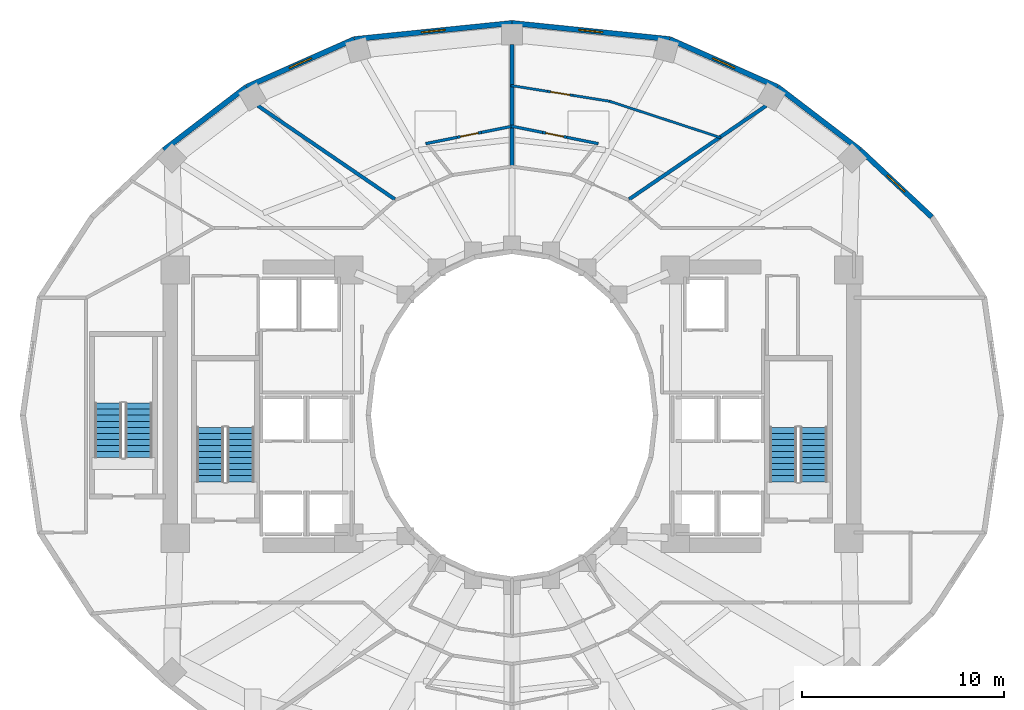
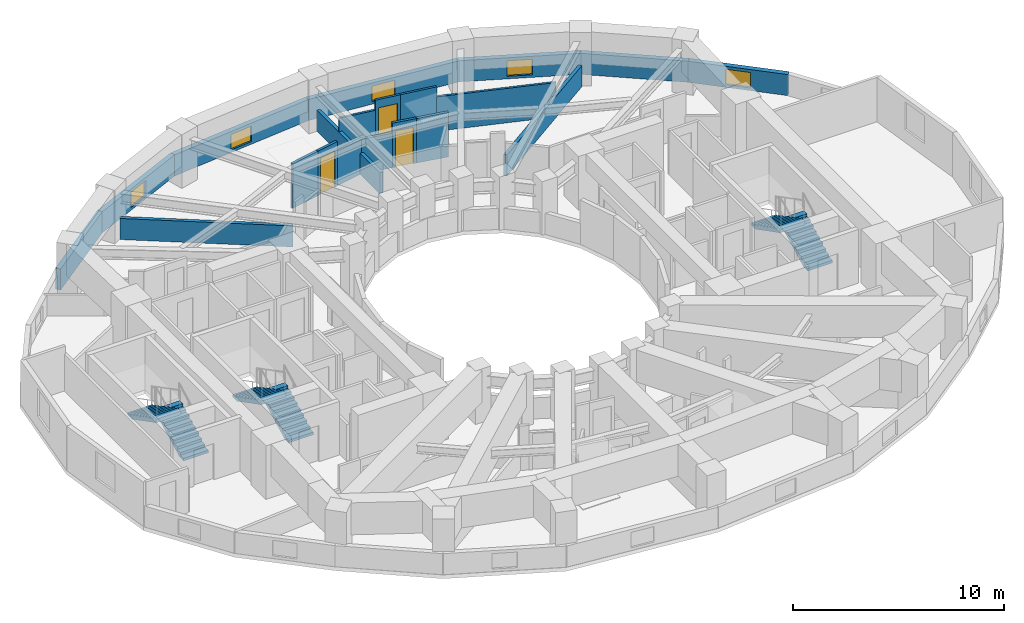
# One storey, part 7 of 9: 20 walls, 6 stair flights, 5 windows, 3 doors, 8 openings, 3 elements without a shape of their own.
"""IFC4 building model written with IfcOpenShell, lengths in metres."""

from ifc_helpers import new_model, si_unit, direction, frame, frame_2d, origin, place, context, subcontext, project, spatial, polyline, rectangle, outline, extrude, material, layer, layer_set, type_object, element, fill, aggregate, save


model = new_model("IFC4")

# Units and contexts
model_context = context("Model", 3, precision=1e-05, world=origin(), true_north=direction((0.0, 1.0)))
body_context = subcontext(model_context, "Body", "Model", "MODEL_VIEW")
ifc_project = project(units=[si_unit("LENGTHUNIT", "METRE"), si_unit("AREAUNIT", "SQUARE_METRE"), si_unit("VOLUMEUNIT", "CUBIC_METRE"), si_unit("PLANEANGLEUNIT", "RADIAN"), si_unit("MASSUNIT", "GRAM", prefix="KILO")], contexts=[model_context])

# Site, building, storey
site_placement = place(None, origin())
site = spatial("IfcSite", under=ifc_project, at=site_placement, CompositionType="ELEMENT")
building_placement = place(site_placement, origin())
building = spatial("IfcBuilding", under=site, at=building_placement, Name="Solvane Sanctuary Tower", CompositionType="ELEMENT")
storey_placement = place(building_placement, frame((0.0, 0.0, 110.39990234375)))
storey = spatial("IfcBuildingStorey", under=building, at=storey_placement, Name="L33", CompositionType="ELEMENT", Elevation=110.39990234375)

# Wall, opening, window
ifc_material_1 = material(Name="Precast concrete C40/50", Category="concrete")
ifc_layer_1 = layer(ifc_material_1, 0.260009765625, Name="Precast concrete C40/50")
ifc_layer_set_1 = layer_set([ifc_layer_1], Name="Precast concrete C40/50")
wall_type_1 = type_object("IfcWallType", Name="Wall W-EXT-250", PredefinedType="STANDARD", material=ifc_layer_set_1)
wall_1_placement = place(storey_placement, frame((52.820556640625, 32.826904296875, 0.0), z_axis=(0.0, 0.0, 1.0), x_axis=(-0.730162452258, 0.68327358599, 0.0)))
wall_1 = element("IfcWall", 1, at=wall_1_placement, inside=storey, type_object=wall_type_1, Name="L33 Ceramic-Printed Facade Wall 02", PredefinedType="STANDARD", context=body_context, shape_type="SweptSolid", body=[
    extrude(rectangle(XDim=4.868408203125, YDim=0.260009765625, at=frame_2d((2.43408203125, 0.0))), origin(), (0.0, 0.0, 1.0), 1.22021484375),
])
opening_1_placement = place(wall_1_placement, frame((1.834228515625, 0.0, 0.14990234375)))
opening_1 = element("IfcOpeningElement", 2, at=opening_1_placement, cuts=wall_1, Name="Opening WN-OPER-1200", PredefinedType="OPENING", context=body_context, shape_type="SweptSolid", body=[
    extrude(rectangle(XDim=1.199951171875, YDim=0.89990234375, at=frame_2d((0.60009765625, 0.449951171875))), frame((0.0, 0.139892578125, 0.0), z_axis=(0.0, -1.0, 0.0), x_axis=(1.0, 0.0, 0.0)), (0.0, 0.0, 1.0), 0.280029296875),
])
ifc_material_2 = material(Name="Dark Ceramic-Fritted Low-E Glass", Category="glass")
window_type = type_object("IfcWindowType", Name="Window WN-OPER-1200", PartitioningType="SINGLE_PANEL", PredefinedType="WINDOW", material=ifc_material_2)
window_1_placement = place(opening_1_placement, origin())
window_1 = element("IfcWindow", 3, at=window_1_placement, inside=storey, type_object=window_type, Name="L33 Operable Facade Window 02", OverallHeight=0.89990234375, OverallWidth=1.199951171875, PartitioningType="SINGLE_PANEL", PredefinedType="WINDOW", context=body_context, shape_type="SweptSolid", body=[
    extrude(rectangle(XDim=1.199951171875, YDim=0.89990234375, at=frame_2d((0.60009765625, 0.449951171875))), frame((0.0, 0.030029296875, 0.0), z_axis=(0.0, -1.0, 0.0), x_axis=(1.0, 0.0, 0.0)), (0.0, 0.0, 1.0), 0.06005859375),
])
fill(opening_1, window_1)

# Wall
wall_2_placement = place(storey_placement, frame((49.265869140625, 36.1533203125, 0.0), z_axis=(0.0, 0.0, 1.0), x_axis=(-0.794809810864, 0.606858603427, 0.0)))
element("IfcWall", 4, at=wall_2_placement, inside=storey, type_object=wall_type_1, Name="L33 Ceramic-Printed Facade Wall 03", PredefinedType="STANDARD", context=body_context, shape_type="SweptSolid", body=[
    extrude(rectangle(XDim=5.149169921875, YDim=0.260009765625, at=frame_2d((2.57470703125, 0.0))), origin(), (0.0, 0.0, 1.0), 1.22021484375),
])

# Wall, opening, window
wall_3_placement = place(storey_placement, frame((45.17333984375, 39.278076171875, 0.0), z_axis=(0.0, 0.0, 1.0), x_axis=(-0.914336605747, 0.404955023911, 0.0)))
wall_3 = element("IfcWall", 5, at=wall_3_placement, inside=storey, type_object=wall_type_1, Name="L33 Ceramic-Printed Facade Wall 04", PredefinedType="STANDARD", context=body_context, shape_type="SweptSolid", body=[
    extrude(rectangle(XDim=5.85888671875, YDim=0.260009765625, at=frame_2d((2.929443359375, 0.0))), origin(), (0.0, 0.0, 1.0), 1.22021484375),
])
opening_2_placement = place(wall_3_placement, frame((2.329345703125, 0.0, 0.14990234375)))
opening_2 = element("IfcOpeningElement", 6, at=opening_2_placement, cuts=wall_3, Name="Opening WN-OPER-1200", PredefinedType="OPENING", context=body_context, shape_type="SweptSolid", body=[
    extrude(rectangle(XDim=1.199951171875, YDim=0.89990234375, at=frame_2d((0.60009765625, 0.449951171875))), frame((0.0, 0.139892578125, 0.0), z_axis=(0.0, -1.0, 0.0), x_axis=(1.0, 0.0, 0.0)), (0.0, 0.0, 1.0), 0.280029296875),
])
window_2_placement = place(opening_2_placement, origin())
window_2 = element("IfcWindow", 7, at=window_2_placement, inside=storey, type_object=window_type, Name="L33 Operable Facade Window 04", OverallHeight=0.89990234375, OverallWidth=1.199951171875, PartitioningType="SINGLE_PANEL", PredefinedType="WINDOW", context=body_context, shape_type="SweptSolid", body=[
    extrude(rectangle(XDim=1.199951171875, YDim=0.89990234375, at=frame_2d((0.60009765625, 0.449951171875))), frame((0.0, 0.030029296875, 0.0), z_axis=(0.0, -1.0, 0.0), x_axis=(1.0, 0.0, 0.0)), (0.0, 0.0, 1.0), 0.06005859375),
])
fill(opening_2, window_2)

wall_4_placement = place(storey_placement, frame((39.81640625, 41.650634765625, 0.0), z_axis=(0.0, 0.0, 1.0), x_axis=(-0.994821390558, 0.101638579726, 0.0)))
wall_4 = element("IfcWall", 8, at=wall_4_placement, inside=storey, type_object=wall_type_1, Name="L33 Ceramic-Printed Facade Wall 05", PredefinedType="STANDARD", context=body_context, shape_type="SweptSolid", body=[
    extrude(rectangle(XDim=7.857177734375, YDim=0.260009765625, at=frame_2d((3.9287109375, 0.0))), origin(), (0.0, 0.0, 1.0), 1.22021484375),
])
opening_3_placement = place(wall_4_placement, frame((3.32861328125, 0.0, 0.14990234375)))
opening_3 = element("IfcOpeningElement", 9, at=opening_3_placement, cuts=wall_4, Name="Opening WN-OPER-1200", PredefinedType="OPENING", context=body_context, shape_type="SweptSolid", body=[
    extrude(rectangle(XDim=1.199951171875, YDim=0.89990234375, at=frame_2d((0.60009765625, 0.449951171875))), frame((0.0, 0.139892578125, 0.0), z_axis=(0.0, -1.0, 0.0), x_axis=(1.0, 0.0, 0.0)), (0.0, 0.0, 1.0), 0.280029296875),
])
window_3_placement = place(opening_3_placement, origin())
window_3 = element("IfcWindow", 10, at=window_3_placement, inside=storey, type_object=window_type, Name="L33 Operable Facade Window 05", OverallHeight=0.89990234375, OverallWidth=1.199951171875, PartitioningType="SINGLE_PANEL", PredefinedType="WINDOW", context=body_context, shape_type="SweptSolid", body=[
    extrude(rectangle(XDim=1.199951171875, YDim=0.89990234375, at=frame_2d((0.60009765625, 0.449951171875))), frame((0.0, 0.030029296875, 0.0), z_axis=(0.0, -1.0, 0.0), x_axis=(1.0, 0.0, 0.0)), (0.0, 0.0, 1.0), 0.06005859375),
])
fill(opening_3, window_3)

wall_5_placement = place(storey_placement, frame((32.0, 42.44921875, 0.0), z_axis=(0.0, 0.0, 1.0), x_axis=(-0.994821390558, -0.101638579726, 0.0)))
wall_5 = element("IfcWall", 11, at=wall_5_placement, inside=storey, type_object=wall_type_1, Name="L33 Ceramic-Printed Facade Wall 06", PredefinedType="STANDARD", context=body_context, shape_type="SweptSolid", body=[
    extrude(rectangle(XDim=7.857177734375, YDim=0.260009765625, at=frame_2d((3.9287109375, 0.0))), origin(), (0.0, 0.0, 1.0), 1.22021484375),
])
opening_4_placement = place(wall_5_placement, frame((3.32861328125, 0.0, 0.14990234375)))
opening_4 = element("IfcOpeningElement", 12, at=opening_4_placement, cuts=wall_5, Name="Opening WN-OPER-1200", PredefinedType="OPENING", context=body_context, shape_type="SweptSolid", body=[
    extrude(rectangle(XDim=1.199951171875, YDim=0.89990234375, at=frame_2d((0.60009765625, 0.449951171875))), frame((0.0, 0.139892578125, 0.0), z_axis=(0.0, -1.0, 0.0), x_axis=(1.0, 0.0, 0.0)), (0.0, 0.0, 1.0), 0.280029296875),
])
window_4_placement = place(opening_4_placement, origin())
window_4 = element("IfcWindow", 13, at=window_4_placement, inside=storey, type_object=window_type, Name="L33 Operable Facade Window 06", OverallHeight=0.89990234375, OverallWidth=1.199951171875, PartitioningType="SINGLE_PANEL", PredefinedType="WINDOW", context=body_context, shape_type="SweptSolid", body=[
    extrude(rectangle(XDim=1.199951171875, YDim=0.89990234375, at=frame_2d((0.60009765625, 0.449951171875))), frame((0.0, 0.030029296875, 0.0), z_axis=(0.0, -1.0, 0.0), x_axis=(1.0, 0.0, 0.0)), (0.0, 0.0, 1.0), 0.06005859375),
])
fill(opening_4, window_4)

wall_6_placement = place(storey_placement, frame((24.18359375, 41.650634765625, 0.0), z_axis=(0.0, 0.0, 1.0), x_axis=(-0.914336605747, -0.404955023911, 0.0)))
wall_6 = element("IfcWall", 14, at=wall_6_placement, inside=storey, type_object=wall_type_1, Name="L33 Ceramic-Printed Facade Wall 07", PredefinedType="STANDARD", context=body_context, shape_type="SweptSolid", body=[
    extrude(rectangle(XDim=5.85888671875, YDim=0.260009765625, at=frame_2d((2.929443359375, 0.0))), origin(), (0.0, 0.0, 1.0), 1.22021484375),
])
opening_5_placement = place(wall_6_placement, frame((2.329345703125, 0.0, 0.14990234375)))
opening_5 = element("IfcOpeningElement", 15, at=opening_5_placement, cuts=wall_6, Name="Opening WN-OPER-1200", PredefinedType="OPENING", context=body_context, shape_type="SweptSolid", body=[
    extrude(rectangle(XDim=1.199951171875, YDim=0.89990234375, at=frame_2d((0.60009765625, 0.449951171875))), frame((0.0, 0.139892578125, 0.0), z_axis=(0.0, -1.0, 0.0), x_axis=(1.0, 0.0, 0.0)), (0.0, 0.0, 1.0), 0.280029296875),
])
window_5_placement = place(opening_5_placement, origin())
window_5 = element("IfcWindow", 16, at=window_5_placement, inside=storey, type_object=window_type, Name="L33 Operable Facade Window 07", OverallHeight=0.89990234375, OverallWidth=1.199951171875, PartitioningType="SINGLE_PANEL", PredefinedType="WINDOW", context=body_context, shape_type="SweptSolid", body=[
    extrude(rectangle(XDim=1.199951171875, YDim=0.89990234375, at=frame_2d((0.60009765625, 0.449951171875))), frame((0.0, 0.030029296875, 0.0), z_axis=(0.0, -1.0, 0.0), x_axis=(1.0, 0.0, 0.0)), (0.0, 0.0, 1.0), 0.06005859375),
])
fill(opening_5, window_5)

# Walls
wall_7_placement = place(storey_placement, frame((18.82666015625, 39.278076171875, 0.0), z_axis=(0.0, 0.0, 1.0), x_axis=(-0.794809810864, -0.606858603427, 0.0)))
element("IfcWall", 17, at=wall_7_placement, inside=storey, type_object=wall_type_1, Name="L33 Ceramic-Printed Facade Wall 08", PredefinedType="STANDARD", context=body_context, shape_type="SweptSolid", body=[
    extrude(rectangle(XDim=5.149169921875, YDim=0.260009765625, at=frame_2d((2.57470703125, 0.0))), origin(), (0.0, 0.0, 1.0), 1.22021484375),
])
ifc_material_3 = material(Name="Acoustic Gypsum Partition Board")
ifc_layer_2 = layer(ifc_material_3, 0.1201171875, Name="Acoustic Gypsum Partition Board")
ifc_layer_set_2 = layer_set([ifc_layer_2], Name="Acoustic Gypsum Partition Board")
wall_type_2 = type_object("IfcWallType", Name="Wall W-MOV-100", PredefinedType="MOVABLE", material=ifc_layer_set_2)
wall_8_placement = place(storey_placement, frame((42.353515625, 36.76318359375, 0.0), z_axis=(0.0, 0.0, 1.0), x_axis=(-0.950307315297, 0.311313357396, 0.0)))
element("IfcWall", 18, at=wall_8_placement, inside=storey, type_object=wall_type_2, Name="L33 Suite Sitting Lounge Partition N1", PredefinedType="MOVABLE", context=body_context, shape_type="SweptSolid", body=[
    extrude(rectangle(XDim=5.8173828125, YDim=0.1201171875, at=frame_2d((2.90869140625, 0.0))), origin(), (0.0, 0.0, 1.0), 1.9921875),
])
wall_9_placement = place(storey_placement, frame((36.8447265625, 38.569580078125, 0.0), z_axis=(0.0, 0.0, 1.0), x_axis=(-0.987498427073, 0.157628856904, 0.0)))
element("IfcWall", 19, at=wall_9_placement, inside=storey, type_object=wall_type_2, Name="L33 Suite Sitting Lounge Partition N1", PredefinedType="MOVABLE", context=body_context, shape_type="SweptSolid", body=[
    extrude(rectangle(XDim=1.843017578125, YDim=0.1201171875, at=frame_2d((0.92138671875, 0.0))), origin(), (0.0, 0.0, 1.0), 2.5751953125),
])

# Wall, opening, door
wall_10_placement = place(storey_placement, frame((35.024658203125, 38.860107421875, 0.0), z_axis=(0.0, 0.0, 1.0), x_axis=(-0.987498146108, 0.157630617054, 0.0)))
wall_10 = element("IfcWall", 20, at=wall_10_placement, inside=storey, type_object=wall_type_2, Name="L33 Suite Sitting Lounge Partition N1", PredefinedType="MOVABLE", context=body_context, shape_type="SweptSolid", body=[
    extrude(rectangle(XDim=1.27001953125, YDim=0.1201171875, at=frame_2d((0.635009765625, 0.0))), origin(), (0.0, 0.0, 1.0), 2.5751953125),
])
opening_6_placement = place(wall_10_placement, frame((0.159912109375, 0.0, 0.0)))
opening_6 = element("IfcOpeningElement", 21, at=opening_6_placement, cuts=wall_10, Name="Opening D-L33-17", PredefinedType="OPENING", context=body_context, shape_type="SweptSolid", body=[
    extrude(rectangle(XDim=0.949951171875, YDim=2.10009765625, at=frame_2d((0.47509765625, 1.050048828125))), frame((0.0, 0.070068359375, 0.0), z_axis=(0.0, -1.0, 0.0), x_axis=(1.0, 0.0, 0.0)), (0.0, 0.0, 1.0), 0.14013671875),
])
ifc_material_4 = material(Name="Engineered Tropical Hardwood", Category="wood")
door_type_1 = type_object("IfcDoorType", Name="Door D-ROOM-950", OperationType="NOTDEFINED", PredefinedType="DOOR", material=ifc_material_4)
door_1_placement = place(opening_6_placement, origin())
door_1 = element("IfcDoor", 22, at=door_1_placement, inside=storey, type_object=door_type_1, Name="L33 Suite Sitting Lounge Door N1", OperationType="SINGLE_SWING_RIGHT", OverallHeight=2.10009765625, OverallWidth=0.949951171875, PredefinedType="DOOR", context=body_context, shape_type="SweptSolid", body=[
    extrude(rectangle(XDim=0.949951171875, YDim=2.10009765625, at=frame_2d((0.47509765625, 1.050048828125))), frame((0.0, 0.02490234375, 0.0), z_axis=(0.0, -1.0, 0.0), x_axis=(1.0, 0.0, 0.0)), (0.0, 0.0, 1.0), 0.050048828125),
])
fill(opening_6, door_1)

# Walls
wall_11_placement = place(storey_placement, frame((33.7705078125, 39.060302734375, 0.0), z_axis=(0.0, 0.0, 1.0), x_axis=(-0.98751575117, 0.157520288186, 0.0)))
element("IfcWall", 23, at=wall_11_placement, inside=storey, type_object=wall_type_2, Name="L33 Suite Sitting Lounge Partition N1", PredefinedType="MOVABLE", context=body_context, shape_type="SweptSolid", body=[
    extrude(rectangle(XDim=1.8427734375, YDim=0.1201171875, at=frame_2d((0.92138671875, 0.0))), origin(), (0.0, 0.0, 1.0), 1.9921875),
])
ifc_layer_3 = layer(ifc_material_3, 0.179931640625, Name="Acoustic Gypsum Partition Board")
ifc_layer_set_3 = layer_set([ifc_layer_3], Name="Acoustic Gypsum Partition Board")
wall_type_3 = type_object("IfcWallType", Name="Wall W-UNIT-180", PredefinedType="PARTITIONING", material=ifc_layer_set_3)
wall_12_placement = place(storey_placement, frame((37.810302734375, 33.708984375, 0.0), z_axis=(0.0, 0.0, 1.0), x_axis=(0.825850521911, 0.563889098546, 0.0)))
element("IfcWall", 24, at=wall_12_placement, inside=storey, type_object=wall_type_3, Name="L33 Radial Compartment Wall 060", PredefinedType="PARTITIONING", context=body_context, shape_type="SweptSolid", body=[
    extrude(rectangle(XDim=8.228271484375, YDim=0.179931640625, at=frame_2d((4.1142578125, 0.0))), origin(), (0.0, 0.0, 1.0), 1.22021484375),
])
wall_13_placement = place(storey_placement, frame((32.0, 35.385009765625, 0.0), z_axis=(0.0, 0.0, 1.0), x_axis=(0.0, 1.0, 0.0)))
element("IfcWall", 25, at=wall_13_placement, inside=storey, type_object=wall_type_3, Name="L33 Radial Compartment Wall 090", PredefinedType="PARTITIONING", context=body_context, shape_type="SweptSolid", body=[
    extrude(rectangle(XDim=5.989990234375, YDim=0.179931640625, at=frame_2d((2.9951171875, 0.0))), origin(), (0.0, 0.0, 1.0), 1.22021484375),
])
wall_14_placement = place(storey_placement, frame((26.189697265625, 33.708984375, 0.0), z_axis=(0.0, 0.0, 1.0), x_axis=(-0.825850521911, 0.563889098546, 0.0)))
element("IfcWall", 26, at=wall_14_placement, inside=storey, type_object=wall_type_3, Name="L33 Radial Compartment Wall 120", PredefinedType="PARTITIONING", context=body_context, shape_type="SweptSolid", body=[
    extrude(rectangle(XDim=8.228271484375, YDim=0.179931640625, at=frame_2d((4.1142578125, 0.0))), origin(), (0.0, 0.0, 1.0), 1.22021484375),
])
ifc_layer_4 = layer(ifc_material_3, 0.139892578125, Name="Acoustic Gypsum Partition Board")
ifc_layer_set_4 = layer_set([ifc_layer_4], Name="Acoustic Gypsum Partition Board")
wall_type_4 = type_object("IfcWallType", Name="Wall W-WET-140", PredefinedType="PLUMBINGWALL", material=ifc_layer_set_4)
wall_15_placement = place(storey_placement, frame((36.274658203125, 36.468017578125, 0.0), z_axis=(0.0, 0.0, 1.0), x_axis=(-0.980261572321, 0.197704956516, 0.0)))
element("IfcWall", 27, at=wall_15_placement, inside=storey, type_object=wall_type_4, Name="L33 En-suite Bedroom Wall N1", PredefinedType="PLUMBINGWALL", context=body_context, shape_type="SweptSolid", body=[
    extrude(rectangle(XDim=1.595458984375, YDim=0.139892578125, at=frame_2d((0.7978515625, 0.0))), origin(), (0.0, 0.0, 1.0), 2.5751953125),
])

# Wall, opening, door
wall_16_placement = place(storey_placement, frame((34.710693359375, 36.783447265625, 0.0), z_axis=(0.0, 0.0, 1.0), x_axis=(-0.980256050043, 0.197732335125, 0.0)))
wall_16 = element("IfcWall", 28, at=wall_16_placement, inside=storey, type_object=wall_type_4, Name="L33 En-suite Bedroom Wall N1", PredefinedType="PLUMBINGWALL", context=body_context, shape_type="SweptSolid", body=[
    extrude(rectangle(XDim=1.219970703125, YDim=0.139892578125, at=frame_2d((0.60986328125, 0.0))), origin(), (0.0, 0.0, 1.0), 2.5751953125),
])
opening_7_placement = place(wall_16_placement, frame((0.159912109375, 0.0, 0.0)))
opening_7 = element("IfcOpeningElement", 29, at=opening_7_placement, cuts=wall_16, Name="Opening D-L33-18", PredefinedType="OPENING", context=body_context, shape_type="SweptSolid", body=[
    extrude(rectangle(XDim=0.89990234375, YDim=2.10009765625, at=frame_2d((0.449951171875, 1.050048828125))), frame((0.0, 0.079833984375, 0.0), z_axis=(0.0, -1.0, 0.0), x_axis=(1.0, 0.0, 0.0)), (0.0, 0.0, 1.0), 0.159912109375),
])
door_type_2 = type_object("IfcDoorType", Name="Door D-WET-900", OperationType="NOTDEFINED", PredefinedType="DOOR", material=ifc_material_4)
door_2_placement = place(opening_7_placement, origin())
door_2 = element("IfcDoor", 30, at=door_2_placement, inside=storey, type_object=door_type_2, Name="L33 En-suite Bathroom Door N1", OperationType="SINGLE_SWING_LEFT", OverallHeight=2.10009765625, OverallWidth=0.89990234375, PredefinedType="DOOR", context=body_context, shape_type="SweptSolid", body=[
    extrude(rectangle(XDim=0.89990234375, YDim=2.10009765625, at=frame_2d((0.449951171875, 1.050048828125))), frame((0.0, 0.02490234375, 0.0), z_axis=(0.0, -1.0, 0.0), x_axis=(1.0, 0.0, 0.0)), (0.0, 0.0, 1.0), 0.050048828125),
])
fill(opening_7, door_2)

# Walls
for number, where, z_axis, x_axis, name in (
    (31, (33.514892578125, 37.024658203125, 0.0), (0.0, 0.0, 1.0), (-0.980291218326, 0.197557908657, 0.0), "L33 En-suite Bedroom Wall N1"),
    (32, (32.049072265625, 37.33984375, 0.0), (0.0, 0.0, 1.0), (-0.980291218326, -0.197557908657, 0.0), "L33 En-suite Bedroom Wall N2"),
):
    element("IfcWall", number, at=place(storey_placement, frame(where, z_axis=z_axis, x_axis=x_axis)), inside=storey, type_object=wall_type_4, Name=name, PredefinedType="PLUMBINGWALL", context=body_context, shape_type="SweptSolid", body=[
        extrude(rectangle(XDim=1.595458984375, YDim=0.139892578125, at=frame_2d((0.7978515625, 0.0))), origin(), (0.0, 0.0, 1.0), 1.9921875),
    ])

# Wall, opening, door
wall_17_placement = place(storey_placement, frame((30.485107421875, 37.024658203125, 0.0), z_axis=(0.0, 0.0, 1.0), x_axis=(-0.980256050043, -0.197732335125, 0.0)))
wall_17 = element("IfcWall", 33, at=wall_17_placement, inside=storey, type_object=wall_type_4, Name="L33 En-suite Bedroom Wall N2", PredefinedType="PLUMBINGWALL", context=body_context, shape_type="SweptSolid", body=[
    extrude(rectangle(XDim=1.219970703125, YDim=0.139892578125, at=frame_2d((0.60986328125, 0.0))), origin(), (0.0, 0.0, 1.0), 2.5751953125),
])
opening_8_placement = place(wall_17_placement, frame((0.159912109375, 0.0, 0.0)))
opening_8 = element("IfcOpeningElement", 34, at=opening_8_placement, cuts=wall_17, Name="Opening D-L33-20", PredefinedType="OPENING", context=body_context, shape_type="SweptSolid", body=[
    extrude(rectangle(XDim=0.89990234375, YDim=2.10009765625, at=frame_2d((0.449951171875, 1.050048828125))), frame((0.0, 0.079833984375, 0.0), z_axis=(0.0, -1.0, 0.0), x_axis=(1.0, 0.0, 0.0)), (0.0, 0.0, 1.0), 0.159912109375),
])
door_3_placement = place(opening_8_placement, origin())
door_3 = element("IfcDoor", 35, at=door_3_placement, inside=storey, type_object=door_type_2, Name="L33 En-suite Bathroom Door N2", OperationType="SINGLE_SWING_LEFT", OverallHeight=2.10009765625, OverallWidth=0.89990234375, PredefinedType="DOOR", context=body_context, shape_type="SweptSolid", body=[
    extrude(rectangle(XDim=0.89990234375, YDim=2.10009765625, at=frame_2d((0.449951171875, 1.050048828125))), frame((0.0, 0.02490234375, 0.0), z_axis=(0.0, -1.0, 0.0), x_axis=(1.0, 0.0, 0.0)), (0.0, 0.0, 1.0), 0.050048828125),
])
fill(opening_8, door_3)

# Wall
wall_18_placement = place(storey_placement, frame((29.289306640625, 36.783447265625, 0.0), z_axis=(0.0, 0.0, 1.0), x_axis=(-0.980261572321, -0.197704956516, 0.0)))
element("IfcWall", 36, at=wall_18_placement, inside=storey, type_object=wall_type_4, Name="L33 En-suite Bedroom Wall N2", PredefinedType="PLUMBINGWALL", context=body_context, shape_type="SweptSolid", body=[
    extrude(rectangle(XDim=1.595458984375, YDim=0.139892578125, at=frame_2d((0.7978515625, 0.0))), origin(), (0.0, 0.0, 1.0), 2.5751953125),
])

# Stair, stair flights
ifc_material_5 = material(Name="Concrete C45/55", Category="concrete")
stair_type = type_object("IfcStairType", Name="Stair ST-TOW", PredefinedType="HALF_TURN_STAIR", material=ifc_material_5)
stair_1_placement = place(storey_placement, origin())
stair_1 = element("IfcStair", 37, at=stair_1_placement, inside=storey, type_object=stair_type, Name="L33 Exit Stair ST-1 West Core", PredefinedType="HALF_TURN_STAIR")
stair_flight_type = type_object("IfcStairFlightType", Name="StairFlight SF-TOW", PredefinedType="STRAIGHT", material=ifc_material_5)
stair_flight_1_placement = place(storey_placement, frame((18.544921875, 19.699951171875, 0.0), z_axis=(0.0, 0.0, 1.0), x_axis=(0.0, 1.0, 0.0)))
stair_flight_1 = element("IfcStairFlight", 38, at=stair_flight_1_placement, type_object=stair_flight_type, Name="ST-1 flight 1", NumberOfRisers=10, NumberOfTreads=9, PredefinedType="STRAIGHT", RiserHeight=0.155, TreadLength=0.3, context=body_context, shape_type="SweptSolid", body=[
    extrude(outline(polyline([(0.0, 0.0), (0.0, 0.155029296875), (0.300048828125, 0.155029296875), (0.300048828125, 0.31005859375), (0.60009765625, 0.31005859375), (0.60009765625, 0.465087890625), (0.89990234375, 0.465087890625), (0.89990234375, 0.6201171875), (1.199951171875, 0.6201171875), (1.199951171875, 0.77490234375), (1.5, 0.77490234375), (1.5, 0.929931640625), (1.800048828125, 0.929931640625), (1.800048828125, 1.0849609375), (2.10009765625, 1.0849609375), (2.10009765625, 1.239990234375), (2.39990234375, 1.239990234375), (2.39990234375, 1.39501953125), (2.699951171875, 1.39501953125), (2.699951171875, 1.550048828125), (2.699951171875, 1.1923828125), (0.39208984375, 0.0), (0.0, 0.0)])), frame((0.0, 0.675048828125, 0.0), z_axis=(0.0, -1.0, 0.0), x_axis=(1.0, 0.0, 0.0)), (0.0, 0.0, 1.0), 1.35009765625),
])
stair_flight_2_placement = place(storey_placement, frame((17.034912109375, 22.39990234375, 1.550048828125), z_axis=(0.0, 0.0, 1.0), x_axis=(0.0, -1.0, 0.0)))
stair_flight_2 = element("IfcStairFlight", 39, at=stair_flight_2_placement, type_object=stair_flight_type, Name="ST-1 flight 2", NumberOfRisers=10, NumberOfTreads=9, PredefinedType="STRAIGHT", RiserHeight=0.155, TreadLength=0.3, context=body_context, shape_type="SweptSolid", body=[
    extrude(outline(polyline([(0.0, 0.0), (0.0, 0.155029296875), (0.300048828125, 0.155029296875), (0.300048828125, 0.31005859375), (0.60009765625, 0.31005859375), (0.60009765625, 0.465087890625), (0.89990234375, 0.465087890625), (0.89990234375, 0.6201171875), (1.199951171875, 0.6201171875), (1.199951171875, 0.77490234375), (1.5, 0.77490234375), (1.5, 0.929931640625), (1.800048828125, 0.929931640625), (1.800048828125, 1.0849609375), (2.10009765625, 1.0849609375), (2.10009765625, 1.239990234375), (2.39990234375, 1.239990234375), (2.39990234375, 1.39501953125), (2.699951171875, 1.39501953125), (2.699951171875, 1.550048828125), (2.699951171875, 1.1923828125), (0.39208984375, 0.0), (0.0, 0.0)])), frame((0.0, 0.675048828125, 0.0), z_axis=(0.0, -1.0, 0.0), x_axis=(1.0, 0.0, 0.0)), (0.0, 0.0, 1.0), 1.35009765625),
])
aggregate(stair_1, [stair_flight_1, stair_flight_2])

stair_2_placement = place(storey_placement, origin())
stair_2 = element("IfcStair", 40, at=stair_2_placement, inside=storey, type_object=stair_type, Name="L33 Exit Stair ST-2 East Core", PredefinedType="HALF_TURN_STAIR")
stair_flight_3_placement = place(storey_placement, frame((46.965087890625, 19.699951171875, 0.0), z_axis=(0.0, 0.0, 1.0), x_axis=(0.0, 1.0, 0.0)))
stair_flight_3 = element("IfcStairFlight", 41, at=stair_flight_3_placement, type_object=stair_flight_type, Name="ST-2 flight 1", NumberOfRisers=10, NumberOfTreads=9, PredefinedType="STRAIGHT", RiserHeight=0.155, TreadLength=0.3, context=body_context, shape_type="SweptSolid", body=[
    extrude(outline(polyline([(0.0, 0.0), (0.0, 0.155029296875), (0.300048828125, 0.155029296875), (0.300048828125, 0.31005859375), (0.60009765625, 0.31005859375), (0.60009765625, 0.465087890625), (0.89990234375, 0.465087890625), (0.89990234375, 0.6201171875), (1.199951171875, 0.6201171875), (1.199951171875, 0.77490234375), (1.5, 0.77490234375), (1.5, 0.929931640625), (1.800048828125, 0.929931640625), (1.800048828125, 1.0849609375), (2.10009765625, 1.0849609375), (2.10009765625, 1.239990234375), (2.39990234375, 1.239990234375), (2.39990234375, 1.39501953125), (2.699951171875, 1.39501953125), (2.699951171875, 1.550048828125), (2.699951171875, 1.1923828125), (0.39208984375, 0.0), (0.0, 0.0)])), frame((0.0, 0.675048828125, 0.0), z_axis=(0.0, -1.0, 0.0), x_axis=(1.0, 0.0, 0.0)), (0.0, 0.0, 1.0), 1.35009765625),
])
stair_flight_4_placement = place(storey_placement, frame((45.455078125, 22.39990234375, 1.550048828125), z_axis=(0.0, 0.0, 1.0), x_axis=(0.0, -1.0, 0.0)))
stair_flight_4 = element("IfcStairFlight", 42, at=stair_flight_4_placement, type_object=stair_flight_type, Name="ST-2 flight 2", NumberOfRisers=10, NumberOfTreads=9, PredefinedType="STRAIGHT", RiserHeight=0.155, TreadLength=0.3, context=body_context, shape_type="SweptSolid", body=[
    extrude(outline(polyline([(0.0, 0.0), (0.0, 0.155029296875), (0.300048828125, 0.155029296875), (0.300048828125, 0.31005859375), (0.60009765625, 0.31005859375), (0.60009765625, 0.465087890625), (0.89990234375, 0.465087890625), (0.89990234375, 0.6201171875), (1.199951171875, 0.6201171875), (1.199951171875, 0.77490234375), (1.5, 0.77490234375), (1.5, 0.929931640625), (1.800048828125, 0.929931640625), (1.800048828125, 1.0849609375), (2.10009765625, 1.0849609375), (2.10009765625, 1.239990234375), (2.39990234375, 1.239990234375), (2.39990234375, 1.39501953125), (2.699951171875, 1.39501953125), (2.699951171875, 1.550048828125), (2.699951171875, 1.1923828125), (0.39208984375, 0.0), (0.0, 0.0)])), frame((0.0, 0.675048828125, 0.0), z_axis=(0.0, -1.0, 0.0), x_axis=(1.0, 0.0, 0.0)), (0.0, 0.0, 1.0), 1.35009765625),
])
aggregate(stair_2, [stair_flight_3, stair_flight_4])

stair_3_placement = place(storey_placement, origin())
stair_3 = element("IfcStair", 43, at=stair_3_placement, inside=storey, type_object=stair_type, Name="L33 Exit Stair ST-3 Pilgrim Tower Stair", PredefinedType="HALF_TURN_STAIR")
stair_flight_5_placement = place(storey_placement, frame((13.485107421875, 20.89990234375, 0.0), z_axis=(0.0, 0.0, 1.0), x_axis=(0.0, 1.0, 0.0)))
stair_flight_5 = element("IfcStairFlight", 44, at=stair_flight_5_placement, type_object=stair_flight_type, Name="ST-3 flight 1", NumberOfRisers=10, NumberOfTreads=9, PredefinedType="STRAIGHT", RiserHeight=0.155, TreadLength=0.3, context=body_context, shape_type="SweptSolid", body=[
    extrude(outline(polyline([(0.0, 0.0), (0.0, 0.155029296875), (0.300048828125, 0.155029296875), (0.300048828125, 0.31005859375), (0.60009765625, 0.31005859375), (0.60009765625, 0.465087890625), (0.89990234375, 0.465087890625), (0.89990234375, 0.6201171875), (1.199951171875, 0.6201171875), (1.199951171875, 0.77490234375), (1.5, 0.77490234375), (1.5, 0.929931640625), (1.800048828125, 0.929931640625), (1.800048828125, 1.0849609375), (2.10009765625, 1.0849609375), (2.10009765625, 1.239990234375), (2.39990234375, 1.239990234375), (2.39990234375, 1.39501953125), (2.699951171875, 1.39501953125), (2.699951171875, 1.550048828125), (2.699951171875, 1.1923828125), (0.39208984375, 0.0), (0.0, 0.0)])), frame((0.0, 0.675048828125, 0.0), z_axis=(0.0, -1.0, 0.0), x_axis=(1.0, 0.0, 0.0)), (0.0, 0.0, 1.0), 1.35009765625),
])
stair_flight_6_placement = place(storey_placement, frame((11.97509765625, 23.60009765625, 1.550048828125), z_axis=(0.0, 0.0, 1.0), x_axis=(0.0, -1.0, 0.0)))
stair_flight_6 = element("IfcStairFlight", 45, at=stair_flight_6_placement, type_object=stair_flight_type, Name="ST-3 flight 2", NumberOfRisers=10, NumberOfTreads=9, PredefinedType="STRAIGHT", RiserHeight=0.155, TreadLength=0.3, context=body_context, shape_type="SweptSolid", body=[
    extrude(outline(polyline([(0.0, 0.0), (0.0, 0.155029296875), (0.300048828125, 0.155029296875), (0.300048828125, 0.31005859375), (0.60009765625, 0.31005859375), (0.60009765625, 0.465087890625), (0.89990234375, 0.465087890625), (0.89990234375, 0.6201171875), (1.199951171875, 0.6201171875), (1.199951171875, 0.77490234375), (1.5, 0.77490234375), (1.5, 0.929931640625), (1.800048828125, 0.929931640625), (1.800048828125, 1.0849609375), (2.10009765625, 1.0849609375), (2.10009765625, 1.239990234375), (2.39990234375, 1.239990234375), (2.39990234375, 1.39501953125), (2.699951171875, 1.39501953125), (2.699951171875, 1.550048828125), (2.699951171875, 1.1923828125), (0.39208984375, 0.0), (0.0, 0.0)])), frame((0.0, 0.675048828125, 0.0), z_axis=(0.0, -1.0, 0.0), x_axis=(1.0, 0.0, 0.0)), (0.0, 0.0, 1.0), 1.35009765625),
])
aggregate(stair_3, [stair_flight_5, stair_flight_6])

save(model, "model.ifc")
